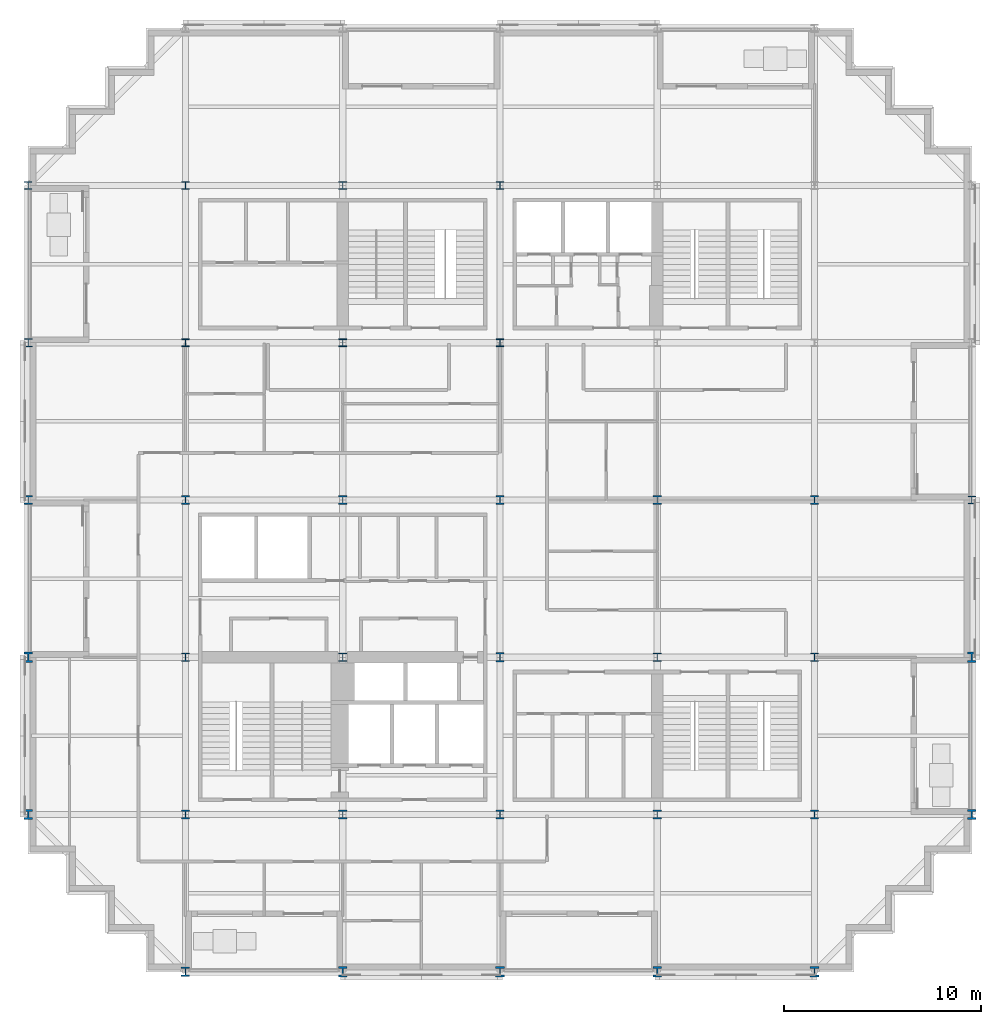
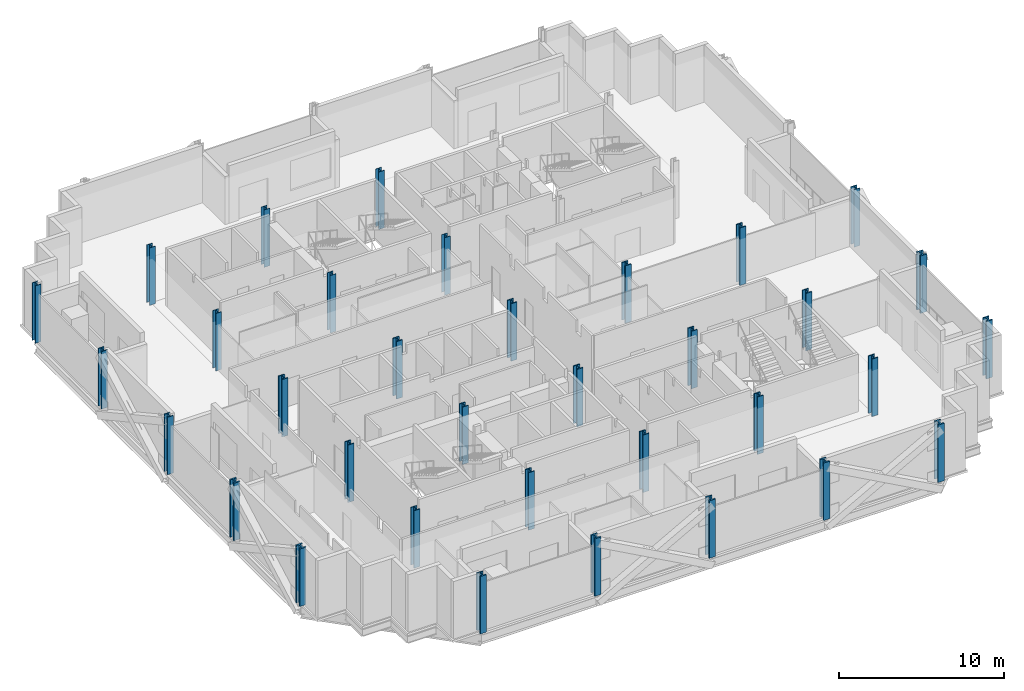
# One storey, part 1 of 14: 34 columns.
"""IFC4 building model written with IfcOpenShell, lengths in metres."""

from ifc_helpers import new_model, si_unit, direction, frame, origin, origin_2d, place, context, subcontext, project, spatial, i_section, extrude, material, material_profile, profile_set, type_object, element, save


model = new_model("IFC4")

# Units and contexts
model_context = context("Model", 3, precision=1e-05, world=origin(), true_north=direction((0.0, 1.0)))
body_context = subcontext(model_context, "Body", "Model", "MODEL_VIEW")
ifc_project = project(units=[si_unit("LENGTHUNIT", "METRE"), si_unit("AREAUNIT", "SQUARE_METRE"), si_unit("VOLUMEUNIT", "CUBIC_METRE"), si_unit("PLANEANGLEUNIT", "RADIAN"), si_unit("MASSUNIT", "GRAM", prefix="KILO")], contexts=[model_context])

# Site, building, storey
site_placement = place(None, origin())
site = spatial("IfcSite", under=ifc_project, at=site_placement, CompositionType="ELEMENT")
building_placement = place(site_placement, origin())
building = spatial("IfcBuilding", under=site, at=building_placement, Name="Immortelle Media Tower", CompositionType="ELEMENT")
storey_placement = place(building_placement, frame((0.0, 0.0, 43.60009765625)))
storey = spatial("IfcBuildingStorey", under=building, at=storey_placement, Name="L06", CompositionType="ELEMENT", Elevation=43.60009765625)

# Columns
ifc_material = material(Name="Steel ASTM A992 Gr 50", Category="steel")
ifc_material_profile_1 = material_profile(ifc_material, i_section(OverallWidth=0.39892578125, OverallDepth=0.385986328125, WebThickness=0.02099609375, FlangeThickness=0.032958984375, at=origin_2d()), Name="W14x176")
ifc_profile_set_1 = profile_set([ifc_material_profile_1], Name="Steel ASTM A992 Gr 50")
column_type_1 = type_object("IfcColumnType", Name="W14x176 column", PredefinedType="COLUMN", material=ifc_profile_set_1)
for number, where, z_axis, x_axis, name in (
    (1, (8.0, 32.0, 0.0), (0.0, 0.0, 1.0), (1.0, 0.0, 0.0), "Column 2/E"),
    (2, (8.0, 40.0, 0.0), (0.0, 0.0, 1.0), (1.0, 0.0, 0.0), "Column 2/F"),
    (3, (16.0, 32.0, 0.0), (0.0, 0.0, 1.0), (1.0, 0.0, 0.0), "Column 3/E"),
    (4, (16.0, 40.0, 0.0), (0.0, 0.0, 1.0), (1.0, 0.0, 0.0), "Column 3/F"),
):
    element("IfcColumn", number, at=place(storey_placement, frame(where, z_axis=z_axis, x_axis=x_axis)), inside=storey, type_object=column_type_1, Name=name, PredefinedType="COLUMN", context=body_context, shape_type="SweptSolid", body=[
        extrude(i_section(OverallWidth=0.39892578125, OverallDepth=0.385986328125, WebThickness=0.02099609375, FlangeThickness=0.032958984375, at=origin_2d()), origin(), (0.0, 0.0, 1.0), 4.25),
    ])
ifc_material_profile_2 = material_profile(ifc_material, i_section(OverallWidth=0.40087890625, OverallDepth=0.39892578125, WebThickness=0.02490234375, FlangeThickness=0.0400390625, at=origin_2d()), Name="W14x211")
ifc_profile_set_2 = profile_set([ifc_material_profile_2], Name="Steel ASTM A992 Gr 50")
column_type_2 = type_object("IfcColumnType", Name="W14x211 column", PredefinedType="COLUMN", material=ifc_profile_set_2)
for number, where, z_axis, x_axis, name in (
    (5, (24.0, 32.0, 0.0), (0.0, 0.0, 1.0), (1.0, 0.0, 0.0), "Column 4/E"),
    (6, (24.0, 40.0, 0.0), (0.0, 0.0, 1.0), (1.0, 0.0, 0.0), "Column 4/F"),
):
    element("IfcColumn", number, at=place(storey_placement, frame(where, z_axis=z_axis, x_axis=x_axis)), inside=storey, type_object=column_type_2, Name=name, PredefinedType="COLUMN", context=body_context, shape_type="SweptSolid", body=[
        extrude(i_section(OverallWidth=0.40087890625, OverallDepth=0.39892578125, WebThickness=0.02490234375, FlangeThickness=0.0400390625, at=origin_2d()), origin(), (0.0, 0.0, 1.0), 4.25),
    ])
ifc_material_profile_3 = material_profile(ifc_material, i_section(OverallWidth=0.406005859375, OverallDepth=0.4169921875, WebThickness=0.030029296875, FlangeThickness=0.048095703125, at=origin_2d()), Name="W14x257")
ifc_profile_set_3 = profile_set([ifc_material_profile_3], Name="Steel ASTM A992 Gr 50")
column_type_3 = type_object("IfcColumnType", Name="W14x257 column", PredefinedType="COLUMN", material=ifc_profile_set_3)
for number, where, z_axis, x_axis, name in (
    (7, (0.0, 40.0, 0.0), (0.0, 0.0, 1.0), (1.0, 0.0, 0.0), "Column 1/F"),
    (8, (48.0, 24.0, 0.0), (0.0, 0.0, 1.0), (1.0, 0.0, 0.0), "Column 7/D"),
):
    element("IfcColumn", number, at=place(storey_placement, frame(where, z_axis=z_axis, x_axis=x_axis)), inside=storey, type_object=column_type_3, Name=name, PredefinedType="COLUMN", context=body_context, shape_type="SweptSolid", body=[
        extrude(i_section(OverallWidth=0.406005859375, OverallDepth=0.4169921875, WebThickness=0.030029296875, FlangeThickness=0.048095703125, at=origin_2d()), origin(), (0.0, 0.0, 1.0), 4.25),
    ])
ifc_material_profile_4 = material_profile(ifc_material, i_section(OverallWidth=0.410888671875, OverallDepth=0.43408203125, WebThickness=0.035888671875, FlangeThickness=0.056884765625, at=origin_2d()), Name="W14x311")
ifc_profile_set_4 = profile_set([ifc_material_profile_4], Name="Steel ASTM A992 Gr 50")
column_type_4 = type_object("IfcColumnType", Name="W14x311 column", PredefinedType="COLUMN", material=ifc_profile_set_4)
for number, where, z_axis, x_axis, name in (
    (9, (0.0, 24.0, 0.0), (0.0, 0.0, 1.0), (1.0, 0.0, 0.0), "Column 1/D"),
    (10, (0.0, 32.0, 0.0), (0.0, 0.0, 1.0), (1.0, 0.0, 0.0), "Column 1/E"),
):
    element("IfcColumn", number, at=place(storey_placement, frame(where, z_axis=z_axis, x_axis=x_axis)), inside=storey, type_object=column_type_4, Name=name, PredefinedType="COLUMN", context=body_context, shape_type="SweptSolid", body=[
        extrude(i_section(OverallWidth=0.410888671875, OverallDepth=0.43408203125, WebThickness=0.035888671875, FlangeThickness=0.056884765625, at=origin_2d()), origin(), (0.0, 0.0, 1.0), 4.25),
    ])
ifc_material_profile_5 = material_profile(ifc_material, i_section(OverallWidth=0.4189453125, OverallDepth=0.455078125, WebThickness=0.0419921875, FlangeThickness=0.068115234375, at=origin_2d()), Name="W14x370")
ifc_profile_set_5 = profile_set([ifc_material_profile_5], Name="Steel ASTM A992 Gr 50")
column_type_5 = type_object("IfcColumnType", Name="W14x370 column", PredefinedType="COLUMN", material=ifc_profile_set_5)
for number, where, z_axis, x_axis, name in (
    (11, (8.0, 8.0, 0.0), (0.0, 0.0, 1.0), (1.0, 0.0, 0.0), "Column 2/B"),
    (12, (8.0, 16.0, 0.0), (0.0, 0.0, 1.0), (1.0, 0.0, 0.0), "Column 2/C"),
    (13, (16.0, 8.0, 0.0), (0.0, 0.0, 1.0), (1.0, 0.0, 0.0), "Column 3/B"),
    (14, (16.0, 16.0, 0.0), (0.0, 0.0, 1.0), (1.0, 0.0, 0.0), "Column 3/C"),
    (15, (32.0, 8.0, 0.0), (0.0, 0.0, 1.0), (1.0, 0.0, 0.0), "Column 5/B"),
    (16, (32.0, 16.0, 0.0), (0.0, 0.0, 1.0), (1.0, 0.0, 0.0), "Column 5/C"),
    (17, (40.0, 8.0, 0.0), (0.0, 0.0, 1.0), (1.0, 0.0, 0.0), "Column 6/B"),
    (18, (40.0, 16.0, 0.0), (0.0, 0.0, 1.0), (1.0, 0.0, 0.0), "Column 6/C"),
):
    element("IfcColumn", number, at=place(storey_placement, frame(where, z_axis=z_axis, x_axis=x_axis)), inside=storey, type_object=column_type_5, Name=name, PredefinedType="COLUMN", context=body_context, shape_type="SweptSolid", body=[
        extrude(i_section(OverallWidth=0.4189453125, OverallDepth=0.455078125, WebThickness=0.0419921875, FlangeThickness=0.068115234375, at=origin_2d()), origin(), (0.0, 0.0, 1.0), 4.25),
    ])
ifc_material_profile_6 = material_profile(ifc_material, i_section(OverallWidth=0.424072265625, OverallDepth=0.47509765625, WebThickness=0.048095703125, FlangeThickness=0.076904296875, at=origin_2d()), Name="W14x426")
ifc_profile_set_6 = profile_set([ifc_material_profile_6], Name="Steel ASTM A992 Gr 50")
column_type_6 = type_object("IfcColumnType", Name="W14x426 column", PredefinedType="COLUMN", material=ifc_profile_set_6)
for number, where, z_axis, x_axis, name in (
    (19, (8.0, 24.0, 0.0), (0.0, 0.0, 1.0), (1.0, 0.0, 0.0), "Column 2/D"),
    (20, (16.0, 24.0, 0.0), (0.0, 0.0, 1.0), (1.0, 0.0, 0.0), "Column 3/D"),
    (21, (24.0, 8.0, 0.0), (0.0, 0.0, 1.0), (1.0, 0.0, 0.0), "Column 4/B"),
    (22, (24.0, 16.0, 0.0), (0.0, 0.0, 1.0), (1.0, 0.0, 0.0), "Column 4/C"),
    (23, (24.0, 24.0, 0.0), (0.0, 0.0, 1.0), (1.0, 0.0, 0.0), "Column 4/D"),
    (24, (32.0, 24.0, 0.0), (0.0, 0.0, 1.0), (1.0, 0.0, 0.0), "Column 5/D"),
    (25, (40.0, 24.0, 0.0), (0.0, 0.0, 1.0), (1.0, 0.0, 0.0), "Column 6/D"),
):
    element("IfcColumn", number, at=place(storey_placement, frame(where, z_axis=z_axis, x_axis=x_axis)), inside=storey, type_object=column_type_6, Name=name, PredefinedType="COLUMN", context=body_context, shape_type="SweptSolid", body=[
        extrude(i_section(OverallWidth=0.424072265625, OverallDepth=0.47509765625, WebThickness=0.048095703125, FlangeThickness=0.076904296875, at=origin_2d()), origin(), (0.0, 0.0, 1.0), 4.25),
    ])
ifc_material_profile_7 = material_profile(ifc_material, i_section(OverallWidth=0.431884765625, OverallDepth=0.498046875, WebThickness=0.055908203125, FlangeThickness=0.089111328125, at=origin_2d()), Name="W14x500")
ifc_profile_set_7 = profile_set([ifc_material_profile_7], Name="Steel ASTM A992 Gr 50")
column_type_7 = type_object("IfcColumnType", Name="W14x500 column", PredefinedType="COLUMN", material=ifc_profile_set_7)
for number, where, z_axis, x_axis, name in (
    (26, (8.0, 0.0, 0.0), (0.0, 0.0, 1.0), (1.0, 0.0, 0.0), "Column 2/A"),
    (27, (48.0, 8.0, 0.0), (0.0, 0.0, 1.0), (1.0, 0.0, 0.0), "Column 7/B"),
):
    element("IfcColumn", number, at=place(storey_placement, frame(where, z_axis=z_axis, x_axis=x_axis)), inside=storey, type_object=column_type_7, Name=name, PredefinedType="COLUMN", context=body_context, shape_type="SweptSolid", body=[
        extrude(i_section(OverallWidth=0.431884765625, OverallDepth=0.498046875, WebThickness=0.055908203125, FlangeThickness=0.089111328125, at=origin_2d()), origin(), (0.0, 0.0, 1.0), 4.25),
    ])
ifc_material_profile_8 = material_profile(ifc_material, i_section(OverallWidth=0.44189453125, OverallDepth=0.531005859375, WebThickness=0.06591796875, FlangeThickness=0.10595703125, at=origin_2d()), Name="W14x605")
ifc_profile_set_8 = profile_set([ifc_material_profile_8], Name="Steel ASTM A992 Gr 50")
column_type_8 = type_object("IfcColumnType", Name="W14x605 column", PredefinedType="COLUMN", material=ifc_profile_set_8)
for number, where, z_axis, x_axis, name in (
    (28, (0.0, 8.0, 0.0), (0.0, 0.0, 1.0), (1.0, 0.0, 0.0), "Column 1/B"),
    (29, (0.0, 16.0, 0.0), (0.0, 0.0, 1.0), (1.0, 0.0, 0.0), "Column 1/C"),
    (30, (16.0, 0.0, 0.0), (0.0, 0.0, 1.0), (1.0, 0.0, 0.0), "Column 3/A"),
    (31, (24.0, 0.0, 0.0), (0.0, 0.0, 1.0), (1.0, 0.0, 0.0), "Column 4/A"),
    (32, (32.0, 0.0, 0.0), (0.0, 0.0, 1.0), (1.0, 0.0, 0.0), "Column 5/A"),
    (33, (40.0, 0.0, 0.0), (0.0, 0.0, 1.0), (1.0, 0.0, 0.0), "Column 6/A"),
    (34, (48.0, 16.0, 0.0), (0.0, 0.0, 1.0), (1.0, 0.0, 0.0), "Column 7/C"),
):
    element("IfcColumn", number, at=place(storey_placement, frame(where, z_axis=z_axis, x_axis=x_axis)), inside=storey, type_object=column_type_8, Name=name, PredefinedType="COLUMN", context=body_context, shape_type="SweptSolid", body=[
        extrude(i_section(OverallWidth=0.44189453125, OverallDepth=0.531005859375, WebThickness=0.06591796875, FlangeThickness=0.10595703125, at=origin_2d()), origin(), (0.0, 0.0, 1.0), 4.25),
    ])

save(model, "model.ifc")
